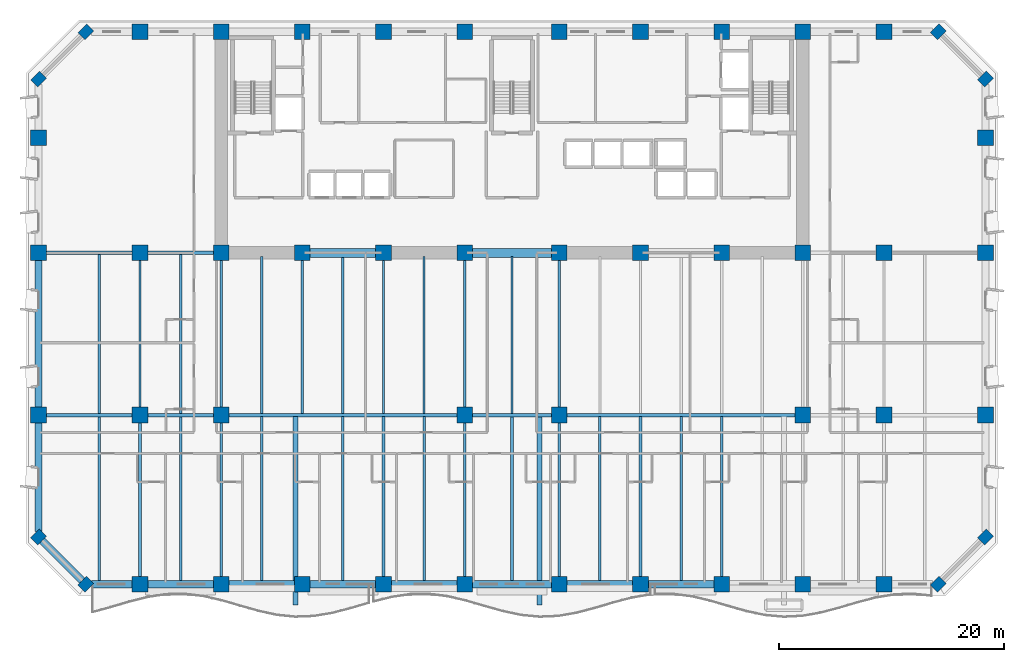
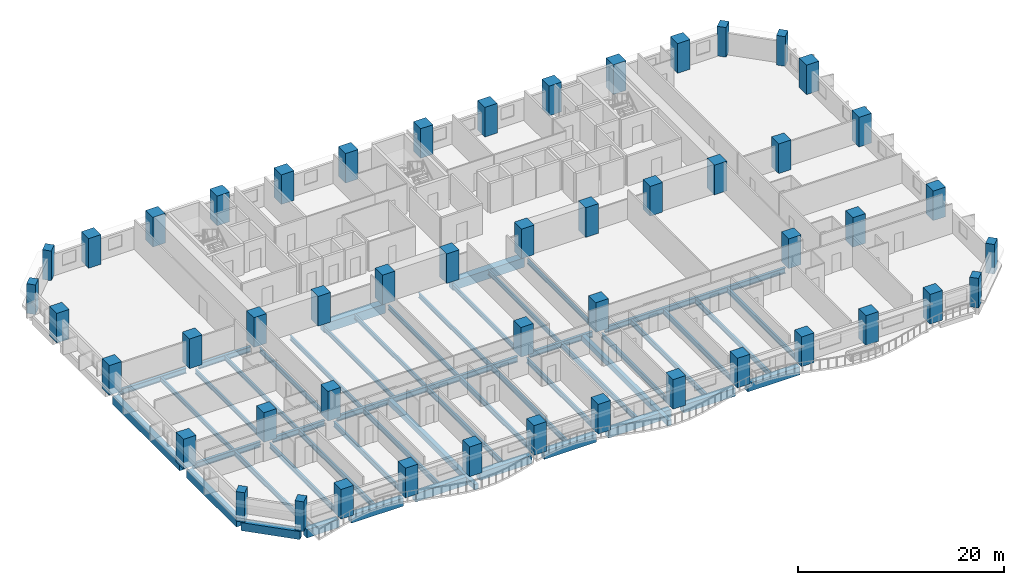
# One storey, part 1 of 15: 50 columns, 49 beams.
"""IFC4 building model written with IfcOpenShell, lengths in metres."""

from ifc_helpers import new_model, si_unit, direction, frame, origin, origin_2d, place, context, subcontext, project, spatial, rectangle, i_section, extrude, material, material_profile, profile_set, type_object, element, save


model = new_model("IFC4")

# Units and contexts
model_context = context("Model", 3, precision=1e-05, world=origin(), true_north=direction((0.0, 1.0)))
body_context = subcontext(model_context, "Body", "Model", "MODEL_VIEW")
ifc_project = project(units=[si_unit("LENGTHUNIT", "METRE"), si_unit("AREAUNIT", "SQUARE_METRE"), si_unit("VOLUMEUNIT", "CUBIC_METRE"), si_unit("PLANEANGLEUNIT", "RADIAN"), si_unit("MASSUNIT", "GRAM", prefix="KILO")], contexts=[model_context])

# Site, building, storey
site_placement = place(None, origin())
site = spatial("IfcSite", under=ifc_project, at=site_placement, CompositionType="ELEMENT")
building_placement = place(site_placement, origin())
building = spatial("IfcBuilding", under=site, at=building_placement, Name="Kaelvorn Grand Hotel", CompositionType="ELEMENT")
storey_placement = place(building_placement, frame((0.0, 0.0, 53.89990234375)))
storey = spatial("IfcBuildingStorey", under=building, at=storey_placement, Name="L11", CompositionType="ELEMENT", Elevation=53.89990234375)

# Columns
ifc_material_1 = material(Name="Concrete C80/95", Category="concrete")
ifc_material_profile_1 = material_profile(ifc_material_1, rectangle(XDim=1.10009765625, YDim=0.89990234375, at=origin_2d()), Name="RC PILASTER 1100x900")
ifc_profile_set_1 = profile_set([ifc_material_profile_1], Name="Concrete C80/95")
column_type_1 = type_object("IfcColumnType", Name="COL-PIL-1100x900-C80", PredefinedType="PILASTER", material=ifc_profile_set_1)
for number, where, z_axis, x_axis, name in (
    (1, (4.199951171875, 0.0, 0.0), (0.0, 0.0, 1.0), (0.707106781187, 0.707106781187, 0.0), "L11 Structural Column CH-01"),
    (2, (79.800048828125, 0.0, 0.0), (0.0, 0.0, 1.0), (0.707106781187, 0.707106781187, 0.0), "L11 Structural Column CH-02"),
    (3, (84.0, 4.199951171875, 0.0), (0.0, 0.0, 1.0), (0.707106781187, 0.707106781187, 0.0), "L11 Structural Column CH-03"),
    (4, (84.0, 44.800048828125, 0.0), (0.0, 0.0, 1.0), (0.707106781187, 0.707106781187, 0.0), "L11 Structural Column CH-04"),
    (5, (79.800048828125, 49.0, 0.0), (0.0, 0.0, 1.0), (0.707106781187, 0.707106781187, 0.0), "L11 Structural Column CH-05"),
    (6, (4.199951171875, 49.0, 0.0), (0.0, 0.0, 1.0), (0.707106781187, 0.707106781187, 0.0), "L11 Structural Column CH-06"),
    (7, (0.0, 44.800048828125, 0.0), (0.0, 0.0, 1.0), (0.707106781187, 0.707106781187, 0.0), "L11 Structural Column CH-07"),
    (8, (0.0, 4.199951171875, 0.0), (0.0, 0.0, 1.0), (0.707106781187, 0.707106781187, 0.0), "L11 Structural Column CH-08"),
):
    element("IfcColumn", number, at=place(storey_placement, frame(where, z_axis=z_axis, x_axis=x_axis)), inside=storey, type_object=column_type_1, Name=name, PredefinedType="PILASTER", context=body_context, shape_type="SweptSolid", body=[
        extrude(rectangle(XDim=1.10009765625, YDim=0.89990234375, at=origin_2d()), origin(), (0.0, 0.0, 1.0), 3.510009765625),
    ])
ifc_material_profile_2 = material_profile(ifc_material_1, rectangle(XDim=1.39990234375, YDim=1.39990234375, at=origin_2d()), Name="RC COL 1400x1400")
ifc_profile_set_2 = profile_set([ifc_material_profile_2], Name="Concrete C80/95")
column_type_2 = type_object("IfcColumnType", Name="COL-RC-1400-C80", PredefinedType="COLUMN", material=ifc_profile_set_2)
for number, where, z_axis, x_axis, name in (
    (9, (9.0, 0.0, 0.0), (0.0, 0.0, 1.0), (1.0, 0.0, 0.0), "L11 Structural Column S-01"),
    (10, (16.199951171875, 0.0, 0.0), (0.0, 0.0, 1.0), (1.0, 0.0, 0.0), "L11 Structural Column S-02"),
    (11, (23.39990234375, 0.0, 0.0), (0.0, 0.0, 1.0), (1.0, 0.0, 0.0), "L11 Structural Column S-03"),
    (12, (30.60009765625, 0.0, 0.0), (0.0, 0.0, 1.0), (1.0, 0.0, 0.0), "L11 Structural Column S-04"),
    (13, (37.800048828125, 0.0, 0.0), (0.0, 0.0, 1.0), (1.0, 0.0, 0.0), "L11 Structural Column S-05"),
    (14, (46.199951171875, 0.0, 0.0), (0.0, 0.0, 1.0), (1.0, 0.0, 0.0), "L11 Structural Column S-06"),
    (15, (53.39990234375, 0.0, 0.0), (0.0, 0.0, 1.0), (1.0, 0.0, 0.0), "L11 Structural Column S-07"),
    (16, (60.60009765625, 0.0, 0.0), (0.0, 0.0, 1.0), (1.0, 0.0, 0.0), "L11 Structural Column S-08"),
    (17, (67.800048828125, 0.0, 0.0), (0.0, 0.0, 1.0), (1.0, 0.0, 0.0), "L11 Structural Column S-09"),
    (18, (75.0, 0.0, 0.0), (0.0, 0.0, 1.0), (1.0, 0.0, 0.0), "L11 Structural Column S-10"),
    (19, (0.0, 15.0, 0.0), (0.0, 0.0, 1.0), (1.0, 0.0, 0.0), "L11 Structural Column W-01"),
    (20, (84.0, 15.0, 0.0), (0.0, 0.0, 1.0), (1.0, 0.0, 0.0), "L11 Structural Column E-01"),
    (21, (0.0, 29.39990234375, 0.0), (0.0, 0.0, 1.0), (1.0, 0.0, 0.0), "L11 Structural Column W-02"),
    (22, (84.0, 29.39990234375, 0.0), (0.0, 0.0, 1.0), (1.0, 0.0, 0.0), "L11 Structural Column E-02"),
    (23, (0.0, 39.60009765625, 0.0), (0.0, 0.0, 1.0), (1.0, 0.0, 0.0), "L11 Structural Column W-03"),
    (24, (84.0, 39.60009765625, 0.0), (0.0, 0.0, 1.0), (1.0, 0.0, 0.0), "L11 Structural Column E-03"),
    (25, (9.0, 15.0, 0.0), (0.0, 0.0, 1.0), (1.0, 0.0, 0.0), "L11 Structural Column M-01"),
    (26, (16.199951171875, 15.0, 0.0), (0.0, 0.0, 1.0), (1.0, 0.0, 0.0), "L11 Structural Column M-02"),
    (27, (37.800048828125, 15.0, 0.0), (0.0, 0.0, 1.0), (1.0, 0.0, 0.0), "L11 Structural Column M-03"),
    (28, (46.199951171875, 15.0, 0.0), (0.0, 0.0, 1.0), (1.0, 0.0, 0.0), "L11 Structural Column M-04"),
    (29, (67.800048828125, 15.0, 0.0), (0.0, 0.0, 1.0), (1.0, 0.0, 0.0), "L11 Structural Column M-05"),
    (30, (75.0, 15.0, 0.0), (0.0, 0.0, 1.0), (1.0, 0.0, 0.0), "L11 Structural Column M-06"),
    (31, (9.0, 29.39990234375, 0.0), (0.0, 0.0, 1.0), (1.0, 0.0, 0.0), "L11 Structural Column CR1-01"),
    (32, (9.0, 49.0, 0.0), (0.0, 0.0, 1.0), (1.0, 0.0, 0.0), "L11 Structural Column CR2-01"),
    (33, (16.199951171875, 29.39990234375, 0.0), (0.0, 0.0, 1.0), (1.0, 0.0, 0.0), "L11 Structural Column CR1-02"),
    (34, (16.199951171875, 49.0, 0.0), (0.0, 0.0, 1.0), (1.0, 0.0, 0.0), "L11 Structural Column CR2-02"),
    (35, (23.39990234375, 29.39990234375, 0.0), (0.0, 0.0, 1.0), (1.0, 0.0, 0.0), "L11 Structural Column CR1-03"),
    (36, (23.39990234375, 49.0, 0.0), (0.0, 0.0, 1.0), (1.0, 0.0, 0.0), "L11 Structural Column CR2-03"),
    (37, (30.60009765625, 29.39990234375, 0.0), (0.0, 0.0, 1.0), (1.0, 0.0, 0.0), "L11 Structural Column CR1-04"),
    (38, (30.60009765625, 49.0, 0.0), (0.0, 0.0, 1.0), (1.0, 0.0, 0.0), "L11 Structural Column CR2-04"),
    (39, (37.800048828125, 29.39990234375, 0.0), (0.0, 0.0, 1.0), (1.0, 0.0, 0.0), "L11 Structural Column CR1-05"),
    (40, (37.800048828125, 49.0, 0.0), (0.0, 0.0, 1.0), (1.0, 0.0, 0.0), "L11 Structural Column CR2-05"),
    (41, (46.199951171875, 29.39990234375, 0.0), (0.0, 0.0, 1.0), (1.0, 0.0, 0.0), "L11 Structural Column CR1-06"),
    (42, (46.199951171875, 49.0, 0.0), (0.0, 0.0, 1.0), (1.0, 0.0, 0.0), "L11 Structural Column CR2-06"),
    (43, (53.39990234375, 29.39990234375, 0.0), (0.0, 0.0, 1.0), (1.0, 0.0, 0.0), "L11 Structural Column CR1-07"),
    (44, (53.39990234375, 49.0, 0.0), (0.0, 0.0, 1.0), (1.0, 0.0, 0.0), "L11 Structural Column CR2-07"),
    (45, (60.60009765625, 29.39990234375, 0.0), (0.0, 0.0, 1.0), (1.0, 0.0, 0.0), "L11 Structural Column CR1-08"),
    (46, (60.60009765625, 49.0, 0.0), (0.0, 0.0, 1.0), (1.0, 0.0, 0.0), "L11 Structural Column CR2-08"),
    (47, (67.800048828125, 29.39990234375, 0.0), (0.0, 0.0, 1.0), (1.0, 0.0, 0.0), "L11 Structural Column CR1-09"),
    (48, (67.800048828125, 49.0, 0.0), (0.0, 0.0, 1.0), (1.0, 0.0, 0.0), "L11 Structural Column CR2-09"),
    (49, (75.0, 29.39990234375, 0.0), (0.0, 0.0, 1.0), (1.0, 0.0, 0.0), "L11 Structural Column CR1-10"),
    (50, (75.0, 49.0, 0.0), (0.0, 0.0, 1.0), (1.0, 0.0, 0.0), "L11 Structural Column CR2-10"),
):
    element("IfcColumn", number, at=place(storey_placement, frame(where, z_axis=z_axis, x_axis=x_axis)), inside=storey, type_object=column_type_2, Name=name, PredefinedType="COLUMN", context=body_context, shape_type="SweptSolid", body=[
        extrude(rectangle(XDim=1.39990234375, YDim=1.39990234375, at=origin_2d()), origin(), (0.0, 0.0, 1.0), 3.510009765625),
    ])

# Beams
ifc_material_2 = material(Name="Steel S355", Category="steel")
ifc_material_profile_3 = material_profile(ifc_material_2, i_section(OverallWidth=0.300048828125, OverallDepth=0.64990234375, WebThickness=0.01611328125, FlangeThickness=0.031005859375, FilletRadius=0.027099609375, at=origin_2d()), Name="HEB 650")
ifc_profile_set_3 = profile_set([ifc_material_profile_3], Name="Steel S355")
beam_type_1 = type_object("IfcBeamType", Name="BM-G-HEB650-S355", PredefinedType="BEAM", material=ifc_profile_set_3)
beam_1_placement = place(storey_placement, frame((0.68505859375, 15.0, -0.56494140625), z_axis=(1.0, 0.0, 0.0), x_axis=(0.0, 1.0, 0.0)))
element("IfcBeam", 51, at=beam_1_placement, inside=storey, type_object=beam_type_1, Name="L11 Primary Spine Steel Girder G-15 01", PredefinedType="BEAM", context=body_context, shape_type="SweptSolid", body=[
    extrude(i_section(OverallWidth=0.300048828125, OverallDepth=0.64990234375, WebThickness=0.01611328125, FlangeThickness=0.031005859375, FilletRadius=0.027099609375, at=origin_2d()), origin(), (0.0, 0.0, 1.0), 7.6298828125),
])
beam_2_placement = place(storey_placement, frame((9.68505859375, 15.0, -0.56494140625), z_axis=(1.0, 0.0, 0.0), x_axis=(0.0, 1.0, 0.0)))
element("IfcBeam", 52, at=beam_2_placement, inside=storey, type_object=beam_type_1, Name="L11 Primary Spine Steel Girder G-15 02", PredefinedType="BEAM", context=body_context, shape_type="SweptSolid", body=[
    extrude(i_section(OverallWidth=0.300048828125, OverallDepth=0.64990234375, WebThickness=0.01611328125, FlangeThickness=0.031005859375, FilletRadius=0.027099609375, at=origin_2d()), origin(), (0.0, 0.0, 1.0), 5.829833984375),
])
beam_3_placement = place(storey_placement, frame((16.885009765625, 15.0, -0.56494140625), z_axis=(1.0, 0.0, 0.0), x_axis=(0.0, 1.0, 0.0)))
element("IfcBeam", 53, at=beam_3_placement, inside=storey, type_object=beam_type_1, Name="L11 Primary Spine Steel Girder G-15 03", PredefinedType="BEAM", context=body_context, shape_type="SweptSolid", body=[
    extrude(i_section(OverallWidth=0.300048828125, OverallDepth=0.64990234375, WebThickness=0.01611328125, FlangeThickness=0.031005859375, FilletRadius=0.027099609375, at=origin_2d()), origin(), (0.0, 0.0, 1.0), 20.22998046875),
])
beam_4_placement = place(storey_placement, frame((38.485107421875, 15.0, -0.56494140625), z_axis=(1.0, 0.0, 0.0), x_axis=(0.0, 1.0, 0.0)))
element("IfcBeam", 54, at=beam_4_placement, inside=storey, type_object=beam_type_1, Name="L11 Primary Spine Steel Girder G-15 04", PredefinedType="BEAM", context=body_context, shape_type="SweptSolid", body=[
    extrude(i_section(OverallWidth=0.300048828125, OverallDepth=0.64990234375, WebThickness=0.01611328125, FlangeThickness=0.031005859375, FilletRadius=0.027099609375, at=origin_2d()), origin(), (0.0, 0.0, 1.0), 7.02978515625),
])
beam_5_placement = place(storey_placement, frame((46.885009765625, 15.0, -0.56494140625), z_axis=(1.0, 0.0, 0.0), x_axis=(0.0, 1.0, 0.0)))
element("IfcBeam", 55, at=beam_5_placement, inside=storey, type_object=beam_type_1, Name="L11 Primary Spine Steel Girder G-15 05", PredefinedType="BEAM", context=body_context, shape_type="SweptSolid", body=[
    extrude(i_section(OverallWidth=0.300048828125, OverallDepth=0.64990234375, WebThickness=0.01611328125, FlangeThickness=0.031005859375, FilletRadius=0.027099609375, at=origin_2d()), origin(), (0.0, 0.0, 1.0), 20.22998046875),
])
beam_6_placement = place(storey_placement, frame((0.68505859375, 29.39990234375, -0.56494140625), z_axis=(1.0, 0.0, 0.0), x_axis=(0.0, 1.0, 0.0)))
element("IfcBeam", 56, at=beam_6_placement, inside=storey, type_object=beam_type_1, Name="L11 West Core Wing Steel Girder G-29W 01", PredefinedType="BEAM", context=body_context, shape_type="SweptSolid", body=[
    extrude(i_section(OverallWidth=0.300048828125, OverallDepth=0.64990234375, WebThickness=0.01611328125, FlangeThickness=0.031005859375, FilletRadius=0.027099609375, at=origin_2d()), origin(), (0.0, 0.0, 1.0), 7.6298828125),
])
beam_7_placement = place(storey_placement, frame((9.68505859375, 29.39990234375, -0.56494140625), z_axis=(1.0, 0.0, 0.0), x_axis=(0.0, 1.0, 0.0)))
element("IfcBeam", 57, at=beam_7_placement, inside=storey, type_object=beam_type_1, Name="L11 West Core Wing Steel Girder G-29W 02", PredefinedType="BEAM", context=body_context, shape_type="SweptSolid", body=[
    extrude(i_section(OverallWidth=0.300048828125, OverallDepth=0.64990234375, WebThickness=0.01611328125, FlangeThickness=0.031005859375, FilletRadius=0.027099609375, at=origin_2d()), origin(), (0.0, 0.0, 1.0), 5.829833984375),
])
ifc_material_profile_4 = material_profile(ifc_material_2, i_section(OverallWidth=0.209228515625, OverallDepth=0.533203125, WebThickness=0.010009765625, FlangeThickness=0.015625, FilletRadius=0.0126953125, at=origin_2d()), Name="UB 533x210x92")
ifc_profile_set_4 = profile_set([ifc_material_profile_4], Name="Steel S355")
beam_type_2 = type_object("IfcBeamType", Name="BM-J-UB533-S355", PredefinedType="JOIST", material=ifc_profile_set_4)
beam_8_placement = place(storey_placement, frame((5.39990234375, 15.135009765625, -0.50634765625), z_axis=(0.0, 1.0, 0.0), x_axis=(-1.0, 0.0, 0.0)))
element("IfcBeam", 58, at=beam_8_placement, inside=storey, type_object=beam_type_2, Name="L11 Composite Floor Joist JM-02", PredefinedType="JOIST", context=body_context, shape_type="SweptSolid", body=[
    extrude(i_section(OverallWidth=0.209228515625, OverallDepth=0.533203125, WebThickness=0.010009765625, FlangeThickness=0.015625, FilletRadius=0.0126953125, at=origin_2d()), origin(), (0.0, 0.0, 1.0), 14.1298828125),
])
beam_9_placement = place(storey_placement, frame((9.0, 15.68505859375, -0.50634765625), z_axis=(0.0, 1.0, 0.0), x_axis=(-1.0, 0.0, 0.0)))
element("IfcBeam", 59, at=beam_9_placement, inside=storey, type_object=beam_type_2, Name="L11 Composite Floor Joist JM-03", PredefinedType="JOIST", context=body_context, shape_type="SweptSolid", body=[
    extrude(i_section(OverallWidth=0.209228515625, OverallDepth=0.533203125, WebThickness=0.010009765625, FlangeThickness=0.015625, FilletRadius=0.0126953125, at=origin_2d()), origin(), (0.0, 0.0, 1.0), 13.030029296875),
])
beam_10_placement = place(storey_placement, frame((12.60009765625, 15.135009765625, -0.50634765625), z_axis=(0.0, 1.0, 0.0), x_axis=(-1.0, 0.0, 0.0)))
element("IfcBeam", 60, at=beam_10_placement, inside=storey, type_object=beam_type_2, Name="L11 Composite Floor Joist JM-04", PredefinedType="JOIST", context=body_context, shape_type="SweptSolid", body=[
    extrude(i_section(OverallWidth=0.209228515625, OverallDepth=0.533203125, WebThickness=0.010009765625, FlangeThickness=0.015625, FilletRadius=0.0126953125, at=origin_2d()), origin(), (0.0, 0.0, 1.0), 14.1298828125),
])
beam_11_placement = place(storey_placement, frame((16.199951171875, 15.68505859375, -0.50634765625), z_axis=(0.0, 1.0, 0.0), x_axis=(-1.0, 0.0, 0.0)))
element("IfcBeam", 61, at=beam_11_placement, inside=storey, type_object=beam_type_2, Name="L11 Composite Floor Joist JM-05", PredefinedType="JOIST", context=body_context, shape_type="SweptSolid", body=[
    extrude(i_section(OverallWidth=0.209228515625, OverallDepth=0.533203125, WebThickness=0.010009765625, FlangeThickness=0.015625, FilletRadius=0.0126953125, at=origin_2d()), origin(), (0.0, 0.0, 1.0), 13.030029296875),
])
beam_12_placement = place(storey_placement, frame((19.800048828125, 15.135009765625, -0.50634765625), z_axis=(0.0, 1.0, 0.0), x_axis=(-1.0, 0.0, 0.0)))
element("IfcBeam", 62, at=beam_12_placement, inside=storey, type_object=beam_type_2, Name="L11 Composite Floor Joist JM-06", PredefinedType="JOIST", context=body_context, shape_type="SweptSolid", body=[
    extrude(i_section(OverallWidth=0.209228515625, OverallDepth=0.533203125, WebThickness=0.010009765625, FlangeThickness=0.015625, FilletRadius=0.0126953125, at=origin_2d()), origin(), (0.0, 0.0, 1.0), 13.925048828125),
])
beam_13_placement = place(storey_placement, frame((23.39990234375, 15.135009765625, -0.50634765625), z_axis=(0.0, 1.0, 0.0), x_axis=(-1.0, 0.0, 0.0)))
element("IfcBeam", 63, at=beam_13_placement, inside=storey, type_object=beam_type_2, Name="L11 Composite Floor Joist JM-07", PredefinedType="JOIST", context=body_context, shape_type="SweptSolid", body=[
    extrude(i_section(OverallWidth=0.209228515625, OverallDepth=0.533203125, WebThickness=0.010009765625, FlangeThickness=0.015625, FilletRadius=0.0126953125, at=origin_2d()), origin(), (0.0, 0.0, 1.0), 13.580078125),
])
beam_14_placement = place(storey_placement, frame((27.0, 15.135009765625, -0.50634765625), z_axis=(0.0, 1.0, 0.0), x_axis=(-1.0, 0.0, 0.0)))
element("IfcBeam", 64, at=beam_14_placement, inside=storey, type_object=beam_type_2, Name="L11 Composite Floor Joist JM-08", PredefinedType="JOIST", context=body_context, shape_type="SweptSolid", body=[
    extrude(i_section(OverallWidth=0.209228515625, OverallDepth=0.533203125, WebThickness=0.010009765625, FlangeThickness=0.015625, FilletRadius=0.0126953125, at=origin_2d()), origin(), (0.0, 0.0, 1.0), 13.925048828125),
])
beam_15_placement = place(storey_placement, frame((30.60009765625, 15.135009765625, -0.50634765625), z_axis=(0.0, 1.0, 0.0), x_axis=(-1.0, 0.0, 0.0)))
element("IfcBeam", 65, at=beam_15_placement, inside=storey, type_object=beam_type_2, Name="L11 Composite Floor Joist JM-09", PredefinedType="JOIST", context=body_context, shape_type="SweptSolid", body=[
    extrude(i_section(OverallWidth=0.209228515625, OverallDepth=0.533203125, WebThickness=0.010009765625, FlangeThickness=0.015625, FilletRadius=0.0126953125, at=origin_2d()), origin(), (0.0, 0.0, 1.0), 13.580078125),
])
beam_16_placement = place(storey_placement, frame((34.199951171875, 15.135009765625, -0.50634765625), z_axis=(0.0, 1.0, 0.0), x_axis=(-1.0, 0.0, 0.0)))
element("IfcBeam", 66, at=beam_16_placement, inside=storey, type_object=beam_type_2, Name="L11 Composite Floor Joist JM-10", PredefinedType="JOIST", context=body_context, shape_type="SweptSolid", body=[
    extrude(i_section(OverallWidth=0.209228515625, OverallDepth=0.533203125, WebThickness=0.010009765625, FlangeThickness=0.015625, FilletRadius=0.0126953125, at=origin_2d()), origin(), (0.0, 0.0, 1.0), 13.925048828125),
])
beam_17_placement = place(storey_placement, frame((37.800048828125, 15.68505859375, -0.50634765625), z_axis=(0.0, 1.0, 0.0), x_axis=(-1.0, 0.0, 0.0)))
element("IfcBeam", 67, at=beam_17_placement, inside=storey, type_object=beam_type_2, Name="L11 Composite Floor Joist JM-11", PredefinedType="JOIST", context=body_context, shape_type="SweptSolid", body=[
    extrude(i_section(OverallWidth=0.209228515625, OverallDepth=0.533203125, WebThickness=0.010009765625, FlangeThickness=0.015625, FilletRadius=0.0126953125, at=origin_2d()), origin(), (0.0, 0.0, 1.0), 13.030029296875),
])
beam_18_placement = place(storey_placement, frame((42.0, 15.135009765625, -0.50634765625), z_axis=(0.0, 1.0, 0.0), x_axis=(-1.0, 0.0, 0.0)))
element("IfcBeam", 68, at=beam_18_placement, inside=storey, type_object=beam_type_2, Name="L11 Composite Floor Joist JM-12", PredefinedType="JOIST", context=body_context, shape_type="SweptSolid", body=[
    extrude(i_section(OverallWidth=0.209228515625, OverallDepth=0.533203125, WebThickness=0.010009765625, FlangeThickness=0.015625, FilletRadius=0.0126953125, at=origin_2d()), origin(), (0.0, 0.0, 1.0), 13.925048828125),
])
beam_19_placement = place(storey_placement, frame((46.199951171875, 15.68505859375, -0.50634765625), z_axis=(0.0, 1.0, 0.0), x_axis=(-1.0, 0.0, 0.0)))
element("IfcBeam", 69, at=beam_19_placement, inside=storey, type_object=beam_type_2, Name="L11 Composite Floor Joist JM-13", PredefinedType="JOIST", context=body_context, shape_type="SweptSolid", body=[
    extrude(i_section(OverallWidth=0.209228515625, OverallDepth=0.533203125, WebThickness=0.010009765625, FlangeThickness=0.015625, FilletRadius=0.0126953125, at=origin_2d()), origin(), (0.0, 0.0, 1.0), 13.030029296875),
])
ifc_material_profile_5 = material_profile(ifc_material_2, i_section(OverallWidth=0.22900390625, OverallDepth=0.6123046875, WebThickness=0.011962890625, FlangeThickness=0.01953125, FilletRadius=0.0126953125, at=origin_2d()), Name="UB 610x229x125")
ifc_profile_set_5 = profile_set([ifc_material_profile_5], Name="Steel S355")
beam_type_3 = type_object("IfcBeamType", Name="BM-J-UB610-S355", PredefinedType="JOIST", material=ifc_profile_set_5)
beam_20_placement = place(storey_placement, frame((5.39990234375, 0.31005859375, -0.5458984375), z_axis=(0.0, 1.0, 0.0), x_axis=(-1.0, 0.0, 0.0)))
element("IfcBeam", 70, at=beam_20_placement, inside=storey, type_object=beam_type_3, Name="L11 Composite Floor Joist JS-02", PredefinedType="JOIST", context=body_context, shape_type="SweptSolid", body=[
    extrude(i_section(OverallWidth=0.22900390625, OverallDepth=0.6123046875, WebThickness=0.011962890625, FlangeThickness=0.01953125, FilletRadius=0.0126953125, at=origin_2d()), origin(), (0.0, 0.0, 1.0), 14.554931640625),
])
beam_21_placement = place(storey_placement, frame((9.0, 0.68505859375, -0.5458984375), z_axis=(0.0, 1.0, 0.0), x_axis=(-1.0, 0.0, 0.0)))
element("IfcBeam", 71, at=beam_21_placement, inside=storey, type_object=beam_type_3, Name="L11 Composite Floor Joist JS-03", PredefinedType="JOIST", context=body_context, shape_type="SweptSolid", body=[
    extrude(i_section(OverallWidth=0.22900390625, OverallDepth=0.6123046875, WebThickness=0.011962890625, FlangeThickness=0.01953125, FilletRadius=0.0126953125, at=origin_2d()), origin(), (0.0, 0.0, 1.0), 13.6298828125),
])
beam_22_placement = place(storey_placement, frame((12.60009765625, 0.31005859375, -0.5458984375), z_axis=(0.0, 1.0, 0.0), x_axis=(-1.0, 0.0, 0.0)))
element("IfcBeam", 72, at=beam_22_placement, inside=storey, type_object=beam_type_3, Name="L11 Composite Floor Joist JS-04", PredefinedType="JOIST", context=body_context, shape_type="SweptSolid", body=[
    extrude(i_section(OverallWidth=0.22900390625, OverallDepth=0.6123046875, WebThickness=0.011962890625, FlangeThickness=0.01953125, FilletRadius=0.0126953125, at=origin_2d()), origin(), (0.0, 0.0, 1.0), 14.554931640625),
])
beam_23_placement = place(storey_placement, frame((16.199951171875, 0.68505859375, -0.5458984375), z_axis=(0.0, 1.0, 0.0), x_axis=(-1.0, 0.0, 0.0)))
element("IfcBeam", 73, at=beam_23_placement, inside=storey, type_object=beam_type_3, Name="L11 Composite Floor Joist JS-05", PredefinedType="JOIST", context=body_context, shape_type="SweptSolid", body=[
    extrude(i_section(OverallWidth=0.22900390625, OverallDepth=0.6123046875, WebThickness=0.011962890625, FlangeThickness=0.01953125, FilletRadius=0.0126953125, at=origin_2d()), origin(), (0.0, 0.0, 1.0), 13.6298828125),
])
for number, where, z_axis, x_axis, name in (
    (74, (19.800048828125, 0.31005859375, -0.5458984375), (0.0, 1.0, 0.0), (-1.0, 0.0, 0.0), "L11 Composite Floor Joist JS-06"),
    (75, (27.0, 0.31005859375, -0.5458984375), (0.0, 1.0, 0.0), (-1.0, 0.0, 0.0), "L11 Composite Floor Joist JS-08"),
):
    element("IfcBeam", number, at=place(storey_placement, frame(where, z_axis=z_axis, x_axis=x_axis)), inside=storey, type_object=beam_type_3, Name=name, PredefinedType="JOIST", context=body_context, shape_type="SweptSolid", body=[
        extrude(i_section(OverallWidth=0.22900390625, OverallDepth=0.6123046875, WebThickness=0.011962890625, FlangeThickness=0.01953125, FilletRadius=0.0126953125, at=origin_2d()), origin(), (0.0, 0.0, 1.0), 14.554931640625),
    ])
beam_24_placement = place(storey_placement, frame((30.60009765625, 0.68505859375, -0.5458984375), z_axis=(0.0, 1.0, 0.0), x_axis=(-1.0, 0.0, 0.0)))
element("IfcBeam", 76, at=beam_24_placement, inside=storey, type_object=beam_type_3, Name="L11 Composite Floor Joist JS-09", PredefinedType="JOIST", context=body_context, shape_type="SweptSolid", body=[
    extrude(i_section(OverallWidth=0.22900390625, OverallDepth=0.6123046875, WebThickness=0.011962890625, FlangeThickness=0.01953125, FilletRadius=0.0126953125, at=origin_2d()), origin(), (0.0, 0.0, 1.0), 14.179931640625),
])
beam_25_placement = place(storey_placement, frame((34.199951171875, 0.31005859375, -0.5458984375), z_axis=(0.0, 1.0, 0.0), x_axis=(-1.0, 0.0, 0.0)))
element("IfcBeam", 77, at=beam_25_placement, inside=storey, type_object=beam_type_3, Name="L11 Composite Floor Joist JS-10", PredefinedType="JOIST", context=body_context, shape_type="SweptSolid", body=[
    extrude(i_section(OverallWidth=0.22900390625, OverallDepth=0.6123046875, WebThickness=0.011962890625, FlangeThickness=0.01953125, FilletRadius=0.0126953125, at=origin_2d()), origin(), (0.0, 0.0, 1.0), 14.554931640625),
])
beam_26_placement = place(storey_placement, frame((37.800048828125, 0.68505859375, -0.5458984375), z_axis=(0.0, 1.0, 0.0), x_axis=(-1.0, 0.0, 0.0)))
element("IfcBeam", 78, at=beam_26_placement, inside=storey, type_object=beam_type_3, Name="L11 Composite Floor Joist JS-11", PredefinedType="JOIST", context=body_context, shape_type="SweptSolid", body=[
    extrude(i_section(OverallWidth=0.22900390625, OverallDepth=0.6123046875, WebThickness=0.011962890625, FlangeThickness=0.01953125, FilletRadius=0.0126953125, at=origin_2d()), origin(), (0.0, 0.0, 1.0), 13.6298828125),
])
beam_27_placement = place(storey_placement, frame((42.0, 0.31005859375, -0.5458984375), z_axis=(0.0, 1.0, 0.0), x_axis=(-1.0, 0.0, 0.0)))
element("IfcBeam", 79, at=beam_27_placement, inside=storey, type_object=beam_type_3, Name="L11 Composite Floor Joist JS-12", PredefinedType="JOIST", context=body_context, shape_type="SweptSolid", body=[
    extrude(i_section(OverallWidth=0.22900390625, OverallDepth=0.6123046875, WebThickness=0.011962890625, FlangeThickness=0.01953125, FilletRadius=0.0126953125, at=origin_2d()), origin(), (0.0, 0.0, 1.0), 14.554931640625),
])
beam_28_placement = place(storey_placement, frame((46.199951171875, 0.68505859375, -0.5458984375), z_axis=(0.0, 1.0, 0.0), x_axis=(-1.0, 0.0, 0.0)))
element("IfcBeam", 80, at=beam_28_placement, inside=storey, type_object=beam_type_3, Name="L11 Composite Floor Joist JS-13", PredefinedType="JOIST", context=body_context, shape_type="SweptSolid", body=[
    extrude(i_section(OverallWidth=0.22900390625, OverallDepth=0.6123046875, WebThickness=0.011962890625, FlangeThickness=0.01953125, FilletRadius=0.0126953125, at=origin_2d()), origin(), (0.0, 0.0, 1.0), 13.6298828125),
])
beam_29_placement = place(storey_placement, frame((49.800048828125, 0.31005859375, -0.5458984375), z_axis=(0.0, 1.0, 0.0), x_axis=(-1.0, 0.0, 0.0)))
element("IfcBeam", 81, at=beam_29_placement, inside=storey, type_object=beam_type_3, Name="L11 Composite Floor Joist JS-14", PredefinedType="JOIST", context=body_context, shape_type="SweptSolid", body=[
    extrude(i_section(OverallWidth=0.22900390625, OverallDepth=0.6123046875, WebThickness=0.011962890625, FlangeThickness=0.01953125, FilletRadius=0.0126953125, at=origin_2d()), origin(), (0.0, 0.0, 1.0), 14.554931640625),
])
beam_30_placement = place(storey_placement, frame((53.39990234375, 0.68505859375, -0.5458984375), z_axis=(0.0, 1.0, 0.0), x_axis=(-1.0, 0.0, 0.0)))
element("IfcBeam", 82, at=beam_30_placement, inside=storey, type_object=beam_type_3, Name="L11 Composite Floor Joist JS-15", PredefinedType="JOIST", context=body_context, shape_type="SweptSolid", body=[
    extrude(i_section(OverallWidth=0.22900390625, OverallDepth=0.6123046875, WebThickness=0.011962890625, FlangeThickness=0.01953125, FilletRadius=0.0126953125, at=origin_2d()), origin(), (0.0, 0.0, 1.0), 14.179931640625),
])
beam_31_placement = place(storey_placement, frame((57.0, 0.31005859375, -0.5458984375), z_axis=(0.0, 1.0, 0.0), x_axis=(-1.0, 0.0, 0.0)))
element("IfcBeam", 83, at=beam_31_placement, inside=storey, type_object=beam_type_3, Name="L11 Composite Floor Joist JS-16", PredefinedType="JOIST", context=body_context, shape_type="SweptSolid", body=[
    extrude(i_section(OverallWidth=0.22900390625, OverallDepth=0.6123046875, WebThickness=0.011962890625, FlangeThickness=0.01953125, FilletRadius=0.0126953125, at=origin_2d()), origin(), (0.0, 0.0, 1.0), 14.554931640625),
])
beam_32_placement = place(storey_placement, frame((60.60009765625, 0.68505859375, -0.5458984375), z_axis=(0.0, 1.0, 0.0), x_axis=(-1.0, 0.0, 0.0)))
element("IfcBeam", 84, at=beam_32_placement, inside=storey, type_object=beam_type_3, Name="L11 Composite Floor Joist JS-17", PredefinedType="JOIST", context=body_context, shape_type="SweptSolid", body=[
    extrude(i_section(OverallWidth=0.22900390625, OverallDepth=0.6123046875, WebThickness=0.011962890625, FlangeThickness=0.01953125, FilletRadius=0.0126953125, at=origin_2d()), origin(), (0.0, 0.0, 1.0), 14.179931640625),
])
ifc_material_3 = material(Name="Concrete C60/75", Category="concrete")
ifc_material_profile_6 = material_profile(ifc_material_3, rectangle(XDim=0.800048828125, YDim=1.10009765625, at=origin_2d()), Name="RC LINTEL 800x1100")
ifc_profile_set_6 = profile_set([ifc_material_profile_6], Name="Concrete C60/75")
beam_type_4 = type_object("IfcBeamType", Name="BM-LIN-800x1100-C60", PredefinedType="LINTEL", material=ifc_profile_set_6)
beam_33_placement = place(storey_placement, frame((23.580078125, 29.39990234375, -0.789794921875), z_axis=(1.0, 0.0, 0.0), x_axis=(0.0, 1.0, 0.0)))
element("IfcBeam", 85, at=beam_33_placement, inside=storey, type_object=beam_type_4, Name="L11 Rear-Core Coupling Lintel Beam CB1-01", PredefinedType="LINTEL", context=body_context, shape_type="SweptSolid", body=[
    extrude(rectangle(XDim=0.800048828125, YDim=1.10009765625, at=origin_2d()), origin(), (0.0, 0.0, 1.0), 6.83984375),
])
beam_34_placement = place(storey_placement, frame((37.97998046875, 29.39990234375, -0.789794921875), z_axis=(1.0, 0.0, 0.0), x_axis=(0.0, 1.0, 0.0)))
element("IfcBeam", 86, at=beam_34_placement, inside=storey, type_object=beam_type_4, Name="L11 Rear-Core Coupling Lintel Beam CB1-02", PredefinedType="LINTEL", context=body_context, shape_type="SweptSolid", body=[
    extrude(rectangle(XDim=0.800048828125, YDim=1.10009765625, at=origin_2d()), origin(), (0.0, 0.0, 1.0), 8.0400390625),
])
ifc_material_4 = material(Name="Concrete C40/50", Category="concrete")
ifc_material_profile_7 = material_profile(ifc_material_4, rectangle(XDim=0.449951171875, YDim=0.64990234375, at=origin_2d()), Name="RC RIB 450x650")
ifc_profile_set_7 = profile_set([ifc_material_profile_7], Name="Concrete C40/50")
beam_type_5 = type_object("IfcBeamType", Name="BM-RIB-450x650-C40", PredefinedType="SPANDREL", material=ifc_profile_set_7)
for number, where, z_axis, x_axis, name in (
    (87, (22.791015625, -1.85009765625, -0.544921875), (0.0, 1.0, 0.0), (-1.0, 0.0, 0.0), "L11 Cantilevered Balcony Back-Span Rib RB1-1"),
    (88, (44.453369140625, -1.85009765625, -0.544921875), (0.0, 1.0, 0.0), (-1.0, 0.0, 0.0), "L11 Cantilevered Balcony Back-Span Rib RB1-2"),
):
    element("IfcBeam", number, at=place(storey_placement, frame(where, z_axis=z_axis, x_axis=x_axis)), inside=storey, type_object=beam_type_5, Name=name, PredefinedType="SPANDREL", context=body_context, shape_type="SweptSolid", body=[
        extrude(rectangle(XDim=0.449951171875, YDim=0.64990234375, at=origin_2d()), origin(), (0.0, 0.0, 1.0), 16.715087890625),
    ])
ifc_material_profile_8 = material_profile(ifc_material_3, rectangle(XDim=0.64990234375, YDim=0.949951171875, at=origin_2d()), Name="RC SPANDREL 650x950")
ifc_profile_set_8 = profile_set([ifc_material_profile_8], Name="Concrete C60/75")
beam_type_6 = type_object("IfcBeamType", Name="BM-SP-650x950-C60", PredefinedType="SPANDREL", material=ifc_profile_set_8)
beam_35_placement = place(storey_placement, frame((4.68505859375, 0.0, -0.71484375), z_axis=(1.0, 0.0, 0.0), x_axis=(0.0, 1.0, 0.0)))
element("IfcBeam", 89, at=beam_35_placement, inside=storey, type_object=beam_type_6, Name="L11 South Perimeter Spandrel 01", PredefinedType="SPANDREL", context=body_context, shape_type="SweptSolid", body=[
    extrude(rectangle(XDim=0.64990234375, YDim=0.949951171875, at=origin_2d()), origin(), (0.0, 0.0, 1.0), 3.6298828125),
])
beam_36_placement = place(storey_placement, frame((9.68505859375, 0.0, -0.71484375), z_axis=(1.0, 0.0, 0.0), x_axis=(0.0, 1.0, 0.0)))
element("IfcBeam", 90, at=beam_36_placement, inside=storey, type_object=beam_type_6, Name="L11 South Perimeter Spandrel 02", PredefinedType="SPANDREL", context=body_context, shape_type="SweptSolid", body=[
    extrude(rectangle(XDim=0.64990234375, YDim=0.949951171875, at=origin_2d()), origin(), (0.0, 0.0, 1.0), 5.829833984375),
])
for number, where, z_axis, x_axis, name in (
    (91, (16.885009765625, 0.0, -0.71484375), (1.0, 0.0, 0.0), (0.0, 1.0, 0.0), "L11 South Perimeter Spandrel 03"),
    (92, (24.0849609375, 0.0, -0.71484375), (1.0, 0.0, 0.0), (0.0, 1.0, 0.0), "L11 South Perimeter Spandrel 04"),
    (93, (31.284912109375, 0.0, -0.71484375), (1.0, 0.0, 0.0), (0.0, 1.0, 0.0), "L11 South Perimeter Spandrel 05"),
):
    element("IfcBeam", number, at=place(storey_placement, frame(where, z_axis=z_axis, x_axis=x_axis)), inside=storey, type_object=beam_type_6, Name=name, PredefinedType="SPANDREL", context=body_context, shape_type="SweptSolid", body=[
        extrude(rectangle(XDim=0.64990234375, YDim=0.949951171875, at=origin_2d()), origin(), (0.0, 0.0, 1.0), 5.830078125),
    ])
beam_37_placement = place(storey_placement, frame((38.485107421875, 0.0, -0.71484375), z_axis=(1.0, 0.0, 0.0), x_axis=(0.0, 1.0, 0.0)))
element("IfcBeam", 94, at=beam_37_placement, inside=storey, type_object=beam_type_6, Name="L11 South Perimeter Spandrel 06", PredefinedType="SPANDREL", context=body_context, shape_type="SweptSolid", body=[
    extrude(rectangle(XDim=0.64990234375, YDim=0.949951171875, at=origin_2d()), origin(), (0.0, 0.0, 1.0), 7.02978515625),
])
for number, where, z_axis, x_axis, name in (
    (95, (46.885009765625, 0.0, -0.71484375), (1.0, 0.0, 0.0), (0.0, 1.0, 0.0), "L11 South Perimeter Spandrel 07"),
    (96, (54.0849609375, 0.0, -0.71484375), (1.0, 0.0, 0.0), (0.0, 1.0, 0.0), "L11 South Perimeter Spandrel 08"),
):
    element("IfcBeam", number, at=place(storey_placement, frame(where, z_axis=z_axis, x_axis=x_axis)), inside=storey, type_object=beam_type_6, Name=name, PredefinedType="SPANDREL", context=body_context, shape_type="SweptSolid", body=[
        extrude(rectangle(XDim=0.64990234375, YDim=0.949951171875, at=origin_2d()), origin(), (0.0, 0.0, 1.0), 5.830078125),
    ])
beam_38_placement = place(storey_placement, frame((0.0, 4.68505859375, -0.71484375), z_axis=(0.0, 1.0, 0.0), x_axis=(-1.0, 0.0, 0.0)))
element("IfcBeam", 97, at=beam_38_placement, inside=storey, type_object=beam_type_6, Name="L11 West Perimeter Spandrel 01", PredefinedType="SPANDREL", context=body_context, shape_type="SweptSolid", body=[
    extrude(rectangle(XDim=0.64990234375, YDim=0.949951171875, at=origin_2d()), origin(), (0.0, 0.0, 1.0), 9.6298828125),
])
beam_39_placement = place(storey_placement, frame((0.0, 15.68505859375, -0.71484375), z_axis=(0.0, 1.0, 0.0), x_axis=(-1.0, 0.0, 0.0)))
element("IfcBeam", 98, at=beam_39_placement, inside=storey, type_object=beam_type_6, Name="L11 West Perimeter Spandrel 02", PredefinedType="SPANDREL", context=body_context, shape_type="SweptSolid", body=[
    extrude(rectangle(XDim=0.64990234375, YDim=0.949951171875, at=origin_2d()), origin(), (0.0, 0.0, 1.0), 13.030029296875),
])
beam_40_placement = place(storey_placement, frame((0.0, 4.199951171875, -0.71484375), z_axis=(0.707106781187, -0.707106781187, 0.0), x_axis=(0.707106781187, 0.707106781187, 0.0)))
element("IfcBeam", 99, at=beam_40_placement, inside=storey, type_object=beam_type_6, Name="L11 Chamfer Spandrel Beam 4", PredefinedType="SPANDREL", context=body_context, shape_type="SweptSolid", body=[
    extrude(rectangle(XDim=0.64990234375, YDim=0.949951171875, at=origin_2d()), origin(), (0.0, 0.0, 1.0), 5.939697265625),
])

save(model, "model.ifc")
